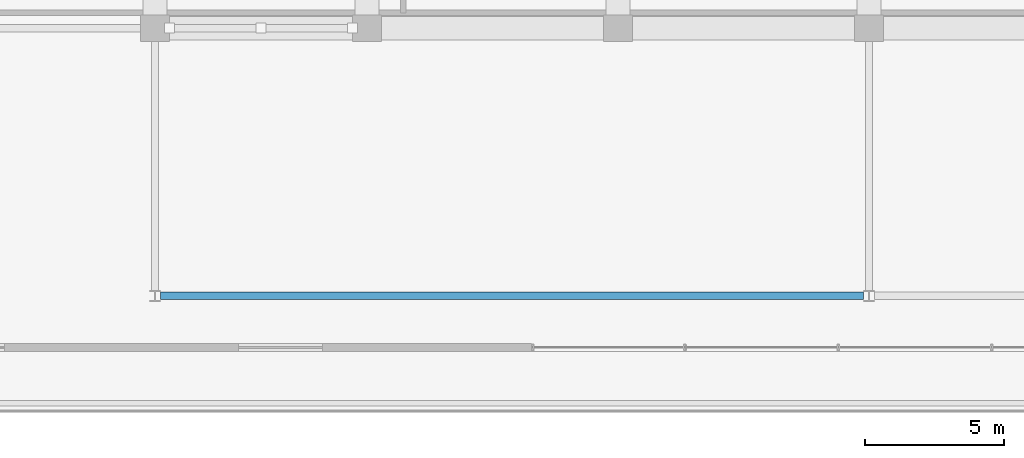
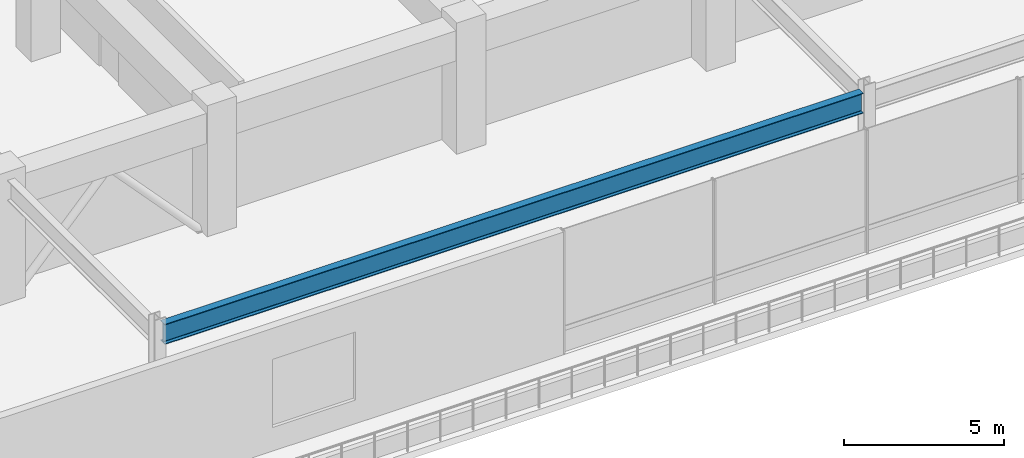
# One storey, part 9 of 38: 1 beam.
"""IFC4 building model written with IfcOpenShell, lengths in metres."""

import ifcopenshell
import ifcopenshell.guid

model = None  # the IFC model being written
_history = None  # IfcOwnerHistory: only IFC2X3 demands one
_inside = {}  # id of a spatial element -> (the spatial element, [elements in it])
_under = {}  # id of a project, library or spatial element -> (it, [spatial elements below it])
_declared = {}  # id of a project -> (the project, [libraries it declares])
_typed = {}  # id of a type object -> (the type object, [elements of that type])
_made_of = {}  # id of a material, layer set ... -> (it, [elements and type objects made of it])


def new_model(schema):
    """Start an empty IFC model of exactly this schema.

    Asked for "IFC4X3", IfcOpenShell would pick the latest addendum, in which some entities
    have other attributes; the version numbers below select the first issue.
    IFC2X3 requires an IfcOwnerHistory on every rooted entity: one is made here for all.
    """
    global model, _history
    if schema == "IFC4X3":
        model = ifcopenshell.file(schema_version=(4, 3, 0, 0))
    else:
        model = ifcopenshell.file(schema=schema)
    _inside.clear()
    _under.clear()
    _declared.clear()
    _typed.clear()
    _made_of.clear()
    _history = None
    if model.schema == "IFC2X3":
        org = make("IfcOrganization", Name="unknown")
        user = make(
            "IfcPersonAndOrganization",
            ThePerson=make("IfcPerson", FamilyName="unknown"),
            TheOrganization=org,
        )
        app = make(
            "IfcApplication",
            ApplicationDeveloper=org,
            Version="unknown",
            ApplicationFullName="unknown",
            ApplicationIdentifier="unknown",
        )
        _history = make(
            "IfcOwnerHistory",
            OwningUser=user,
            OwningApplication=app,
            ChangeAction="ADDED",
            CreationDate=0,
        )
    return model


def make(cls, **values):
    """One entity of the class cls with the attributes given. An attribute that is None is left unset."""
    return model.create_entity(
        cls, **{name: value for name, value in values.items() if value is not None}
    )


def rooted(cls, **values):
    """An entity with a GlobalId (a new one), such as an element, a storey or a relation."""
    return make(cls, GlobalId=ifcopenshell.guid.new(), OwnerHistory=_history, **values)


def si_unit(unit_type, name, prefix=None):
    """IfcSIUnit, for example si_unit("LENGTHUNIT", "METRE", prefix="MILLI")."""
    return make("IfcSIUnit", UnitType=unit_type, Prefix=prefix, Name=name)


def assignment(units):
    """IfcUnitAssignment: the units of a project."""
    return None if units is None else make("IfcUnitAssignment", Units=units)


def point(xyz):
    """IfcCartesianPoint."""
    return None if xyz is None else make("IfcCartesianPoint", Coordinates=xyz)


def direction(xyz):
    """IfcDirection."""
    return None if xyz is None else make("IfcDirection", DirectionRatios=xyz)


def frame(location, z_axis=None, x_axis=None):
    """IfcAxis2Placement3D, a coordinate frame: its origin and axes. An axis left out is left unset."""
    return make(
        "IfcAxis2Placement3D",
        Location=point(location),
        Axis=direction(z_axis),
        RefDirection=direction(x_axis),
    )


def frame_2d(location, x_axis=None):
    """IfcAxis2Placement2D, a coordinate frame in the plane: its origin and x axis."""
    return make(
        "IfcAxis2Placement2D", Location=point(location), RefDirection=direction(x_axis)
    )


def origin():
    """The frame at (0, 0, 0) with its axes left unset."""
    return frame((0.0, 0.0, 0.0))


def origin_2d():
    """The frame at (0, 0) in the plane with its x axis left unset."""
    return frame_2d((0.0, 0.0))


def place(relative_to, where):
    """IfcLocalPlacement: puts the frame where relative to a parent placement (None: the world)."""
    return make(
        "IfcLocalPlacement", PlacementRelTo=relative_to, RelativePlacement=where
    )


def context(
    kind, dimensions, precision=None, world=None, true_north=None, identifier=None
):
    """IfcGeometricRepresentationContext, for example the 3D "Model" context."""
    return make(
        "IfcGeometricRepresentationContext",
        ContextIdentifier=identifier,
        ContextType=kind,
        CoordinateSpaceDimension=dimensions,
        Precision=precision,
        WorldCoordinateSystem=world,
        TrueNorth=true_north,
    )


def subcontext(parent, identifier, kind, view, scale=None):
    """IfcGeometricRepresentationSubContext, for example "Body" below "Model"."""
    return make(
        "IfcGeometricRepresentationSubContext",
        ContextIdentifier=identifier,
        ContextType=kind,
        ParentContext=parent,
        TargetScale=scale,
        TargetView=view,
    )


def project(units=None, contexts=None):
    """IfcProject with its units and contexts."""
    return rooted(
        "IfcProject",
        Name="project",
        RepresentationContexts=contexts,
        UnitsInContext=assignment(units),
    )


def spatial(cls, under=None, at=None, **own):
    """A site, building, storey or space (cls), placed at a placement, below another one or the project."""
    s = rooted(cls, ObjectPlacement=at, **own)
    if under is not None:
        _under.setdefault(under.id(), (under, []))[1].append(s)
    return s


def profile(cls, at=None, kind="AREA", **sizes):
    """A parametric profile (cls). Its sizes go by their IFC names, for example OverallWidth=200.0."""
    return make(cls, ProfileType=kind, Position=at, **sizes)


def i_section(**sizes):
    """IfcIShapeProfileDef."""
    return profile("IfcIShapeProfileDef", **sizes)


def extrude(swept, where, along, depth):
    """IfcExtrudedAreaSolid: the profile swept, set in the frame where, extruded along a direction by depth."""
    return make(
        "IfcExtrudedAreaSolid",
        SweptArea=swept,
        Position=where,
        ExtrudedDirection=direction(along),
        Depth=depth,
    )


def shape(context_of_items, identifier, shape_type, items):
    """IfcShapeRepresentation: the items that make up one representation, for example the "Body"."""
    return make(
        "IfcShapeRepresentation",
        ContextOfItems=context_of_items,
        RepresentationIdentifier=identifier,
        RepresentationType=shape_type,
        Items=items,
    )


def material(Name=None, Category=None):
    """IfcMaterial."""
    return make("IfcMaterial", Name=Name, Category=Category)


def material_profile(
    of_material, cross_section, Name=None, Category=None, Priority=None
):
    """IfcMaterialProfile: a cross section and its material."""
    return make(
        "IfcMaterialProfile",
        Name=Name,
        Material=of_material,
        Profile=cross_section,
        Priority=Priority,
        Category=Category,
    )


def profile_set(profiles, Name=None, composite=None):
    """IfcMaterialProfileSet."""
    return make(
        "IfcMaterialProfileSet",
        Name=Name,
        MaterialProfiles=profiles,
        CompositeProfile=composite,
    )


def made_of(thing, what):
    """Note that an element or type object is made of a material, layer set ...; save() writes the relation."""
    if what is not None:
        _made_of.setdefault(what.id(), (what, []))[1].append(thing)
    return thing


def type_object(cls, material=None, **own):
    """A type object (cls), such as IfcWallType, which elements share."""
    return made_of(rooted(cls, **own), material)


def element(
    cls,
    number,
    at=None,
    inside=None,
    cuts=None,
    type_object=None,
    material=None,
    context=None,
    identifier="Body",
    shape_type=None,
    held_by="IfcProductDefinitionShape",
    body=None,
    shapes=None,
    **own,
):
    """One element of the class cls, such as IfcWall. Its Tag is "e" and its number.

    at: its placement. inside: the storey or other place that contains it. cuts: it is an
    opening in that element (IfcRelVoidsElement). A single representation is given by context,
    identifier, shape_type and body (its items); several are given by shapes. held_by: the class
    of the entity that holds the representations. save() writes the other relations.
    """
    e = rooted(cls, Tag="e%d" % number, ObjectPlacement=at, **own)
    if body is not None:
        shapes = [shape(context, identifier, shape_type, body)]
    if shapes is not None:
        e.Representation = make(held_by, Representations=shapes)
    if inside is not None:
        _inside.setdefault(inside.id(), (inside, []))[1].append(e)
    if cuts is not None:
        rooted(
            "IfcRelVoidsElement", RelatingBuildingElement=cuts, RelatedOpeningElement=e
        )
    if type_object is not None:
        _typed.setdefault(type_object.id(), (type_object, []))[1].append(e)
    return made_of(e, material)


def aggregate(whole, parts):
    """IfcRelAggregates: a whole, such as a stair, and the parts it consists of."""
    return rooted("IfcRelAggregates", RelatingObject=whole, RelatedObjects=parts)


def save(model, path):
    """Write the relations noted so far, then the file.

    IfcRelAggregates (storeys below a building ...), IfcRelContainedInSpatialStructure (elements
    in a storey), IfcRelDefinesByType, IfcRelAssociatesMaterial and IfcRelDeclares: one each for
    every whole, place, type object, material and project.
    """
    for whole, parts in _under.values():
        aggregate(whole, parts)
    for where, things in _inside.values():
        rooted(
            "IfcRelContainedInSpatialStructure",
            RelatedElements=things,
            RelatingStructure=where,
        )
    for kind, things in _typed.values():
        rooted("IfcRelDefinesByType", RelatedObjects=things, RelatingType=kind)
    for what, things in _made_of.values():
        rooted("IfcRelAssociatesMaterial", RelatedObjects=things, RelatingMaterial=what)
    for by, libraries in _declared.values():
        rooted("IfcRelDeclares", RelatingContext=by, RelatedDefinitions=libraries)
    model.write(path)


model = new_model("IFC4")

# Units and contexts
model_context = context("Model", 3, precision=1e-05, world=origin(), true_north=direction((0.0, 1.0)))
body_context = subcontext(model_context, "Body", "Model", "MODEL_VIEW")
ifc_project = project(units=[si_unit("LENGTHUNIT", "METRE"), si_unit("AREAUNIT", "SQUARE_METRE"), si_unit("VOLUMEUNIT", "CUBIC_METRE"), si_unit("PLANEANGLEUNIT", "RADIAN"), si_unit("MASSUNIT", "GRAM", prefix="KILO")], contexts=[model_context])

# Site, building, storey
site_placement = place(None, origin())
site = spatial("IfcSite", under=ifc_project, at=site_placement, CompositionType="ELEMENT")
building_placement = place(site_placement, origin())
building = spatial("IfcBuilding", under=site, at=building_placement, Name="Korimba Cascade Residences", CompositionType="ELEMENT")
storey_placement = place(building_placement, frame((0.0, 0.0, 19.0)))
storey = spatial("IfcBuildingStorey", under=building, at=storey_placement, Name="L04", CompositionType="ELEMENT", Elevation=19.0)

# Beam
ifc_material = material(Name="Steel S355", Category="steel")
ifc_material_profile = material_profile(ifc_material, i_section(OverallWidth=0.26806640625, OverallDepth=0.769775390625, WebThickness=0.015625, FlangeThickness=0.025390625, FilletRadius=0.0166015625, at=origin_2d()), Name="Steel S355")
ifc_profile_set = profile_set([ifc_material_profile], Name="Steel S355")
beam_type = type_object("IfcBeamType", Name="BM-STL-UB762", PredefinedType="BEAM", material=ifc_profile_set)
beam_placement = place(storey_placement, frame((74.699462890625, -13.800048828125, 4.295166015625), z_axis=(1.0, 0.0, 0.0), x_axis=(0.0, 1.0, 0.0)))
element("IfcBeam", 1, at=beam_placement, inside=storey, type_object=beam_type, Name="L04 Podium Frame Girder SH1", PredefinedType="BEAM", context=body_context, shape_type="SweptSolid", body=[
    extrude(i_section(OverallWidth=0.26806640625, OverallDepth=0.769775390625, WebThickness=0.015625, FlangeThickness=0.025390625, FilletRadius=0.0166015625, at=origin_2d()), origin(), (0.0, 0.0, 1.0), 25.200927734375),
])

save(model, "model.ifc")
